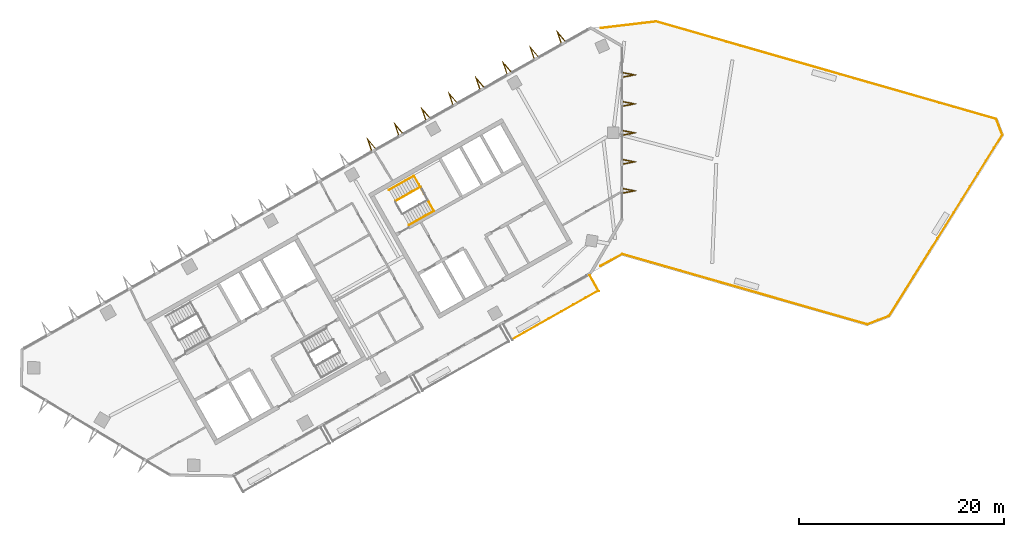
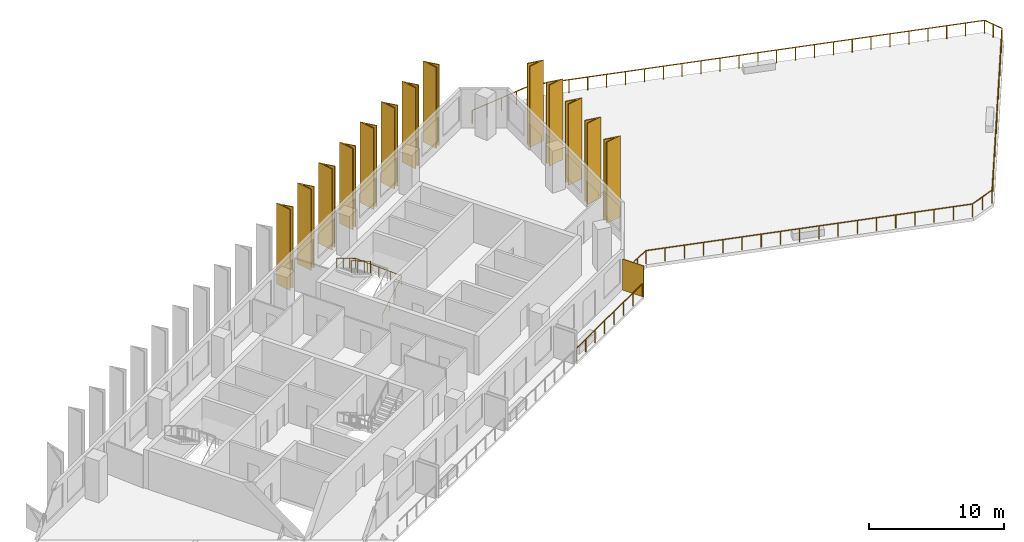
# One storey, part 7 of 8: 14 shading devices, 10 railings.
"""IFC4 building model written with IfcOpenShell, lengths in metres."""

from ifc_helpers import new_model, si_unit, direction, frame, origin, origin_2d, place, context, subcontext, project, spatial, polyline, rectangle, circle, outline, extrude, material, layer, layer_set, type_object, element, save


model = new_model("IFC4")

# Units and contexts
model_context = context("Model", 3, precision=1e-05, world=origin(), true_north=direction((0.0, 1.0)))
body_context = subcontext(model_context, "Body", "Model", "MODEL_VIEW")
ifc_project = project(units=[si_unit("LENGTHUNIT", "METRE"), si_unit("AREAUNIT", "SQUARE_METRE"), si_unit("VOLUMEUNIT", "CUBIC_METRE"), si_unit("PLANEANGLEUNIT", "RADIAN"), si_unit("MASSUNIT", "GRAM", prefix="KILO")], contexts=[model_context])

# Site, building, storey
site_placement = place(None, origin())
site = spatial("IfcSite", under=ifc_project, at=site_placement, CompositionType="ELEMENT")
building_placement = place(site_placement, origin())
building = spatial("IfcBuilding", under=site, at=building_placement, Name="Binnacle Exchange Tower", CompositionType="ELEMENT")
storey_placement = place(building_placement, frame((0.0, 0.0, 262.699951171875)))
storey = spatial("IfcBuildingStorey", under=building, at=storey_placement, Name="L58", CompositionType="ELEMENT", Elevation=262.699951171875)

# Railings
ifc_material_1 = material(Name="Bronze anodised aluminium frame", Category="aluminium")
railing_type_1 = type_object("IfcRailingType", Name="GUARD 1200", PredefinedType="GUARDRAIL", material=ifc_material_1)
railing_1_placement = place(storey_placement, frame((-10.7177734375, 39.81640625, 0.0)))
element("IfcRailing", 1, at=railing_1_placement, inside=storey, type_object=railing_type_1, Name="Balcony guard H07-B03 L58", PredefinedType="GUARDRAIL", context=body_context, shape_type="SweptSolid", body=[
    extrude(circle(Radius=0.02392578125, at=origin_2d()), frame((0.0, 0.0, 1.17578125), z_axis=(0.870353035673, 0.492428262079, 0.0), x_axis=(-0.492428262079, 0.870353035673, 0.0)), (0.0, 0.0, 1.0), 9.64794921875),
    extrude(circle(Radius=0.02099609375, at=origin_2d()), origin(), (0.0, 0.0, 1.0), 1.15185546875),
    extrude(circle(Radius=0.02099609375, at=origin_2d()), frame((1.19970703125, 0.6787109375, 0.0)), (0.0, 0.0, 1.0), 1.15185546875),
    extrude(circle(Radius=0.02099609375, at=origin_2d()), frame((2.399169921875, 1.357421875, 0.0)), (0.0, 0.0, 1.0), 1.15185546875),
    extrude(circle(Radius=0.02099609375, at=origin_2d()), frame((3.598876953125, 2.0361328125, 0.0)), (0.0, 0.0, 1.0), 1.15185546875),
    extrude(circle(Radius=0.02099609375, at=origin_2d()), frame((4.79833984375, 2.71484375, 0.0)), (0.0, 0.0, 1.0), 1.15185546875),
    extrude(circle(Radius=0.02099609375, at=origin_2d()), frame((5.998046875, 3.3935546875, 0.0)), (0.0, 0.0, 1.0), 1.15185546875),
    extrude(circle(Radius=0.02099609375, at=origin_2d()), frame((7.197509765625, 4.072265625, 0.0)), (0.0, 0.0, 1.0), 1.15185546875),
    extrude(circle(Radius=0.02099609375, at=origin_2d()), frame((8.397216796875, 4.7509765625, 0.0)), (0.0, 0.0, 1.0), 1.15185546875),
])
railing_2_placement = place(storey_placement, frame((-2.08349609375, 46.993408203125, 0.0)))
element("IfcRailing", 2, at=railing_2_placement, inside=storey, type_object=railing_type_1, Name="Terrace guard 1 Terrace T2", PredefinedType="GUARDRAIL", context=body_context, shape_type="SweptSolid", body=[
    extrude(circle(Radius=0.02392578125, at=origin_2d()), frame((0.0, 0.0, 1.17578125), z_axis=(0.879297255501, 0.47627338417, 0.0), x_axis=(-0.47627338417, 0.879297255501, 0.0)), (0.0, 0.0, 1.0), 2.41650390625),
    extrude(circle(Radius=0.02099609375, at=origin_2d()), origin(), (0.0, 0.0, 1.0), 1.15185546875),
    extrude(circle(Radius=0.02099609375, at=origin_2d()), frame((1.0625, 0.575439453125, 0.0)), (0.0, 0.0, 1.0), 1.15185546875),
    extrude(circle(Radius=0.02099609375, at=origin_2d()), frame((2.124755859375, 1.15087890625, 0.0)), (0.0, 0.0, 1.0), 1.15185546875),
])
railing_3_placement = place(storey_placement, frame((0.041259765625, 48.144287109375, 0.0)))
element("IfcRailing", 3, at=railing_3_placement, inside=storey, type_object=railing_type_1, Name="Terrace guard 2 Terrace T2", PredefinedType="GUARDRAIL", context=body_context, shape_type="SweptSolid", body=[
    extrude(circle(Radius=0.02392578125, at=origin_2d()), frame((0.0, 0.0, 1.17578125), z_axis=(0.96126130038, -0.275638735287, 0.0), x_axis=(0.275638735287, 0.96126130038, 0.0)), (0.0, 0.0, 1.0), 24.9111328125),
    extrude(circle(Radius=0.02099609375, at=origin_2d()), origin(), (0.0, 0.0, 1.0), 1.15185546875),
    extrude(circle(Radius=0.02099609375, at=origin_2d()), frame((1.40869140625, -0.40380859375, 0.0)), (0.0, 0.0, 1.0), 1.15185546875),
    extrude(circle(Radius=0.02099609375, at=origin_2d()), frame((2.817138671875, -0.807861328125, 0.0)), (0.0, 0.0, 1.0), 1.15185546875),
    extrude(circle(Radius=0.02099609375, at=origin_2d()), frame((4.225830078125, -1.211669921875, 0.0)), (0.0, 0.0, 1.0), 1.15185546875),
    extrude(circle(Radius=0.02099609375, at=origin_2d()), frame((5.63427734375, -1.61572265625, 0.0)), (0.0, 0.0, 1.0), 1.15185546875),
    extrude(circle(Radius=0.02099609375, at=origin_2d()), frame((7.04296875, -2.01953125, 0.0)), (0.0, 0.0, 1.0), 1.15185546875),
    extrude(circle(Radius=0.02099609375, at=origin_2d()), frame((8.45166015625, -2.42333984375, 0.0)), (0.0, 0.0, 1.0), 1.15185546875),
    extrude(circle(Radius=0.02099609375, at=origin_2d()), frame((9.860107421875, -2.827392578125, 0.0)), (0.0, 0.0, 1.0), 1.15185546875),
    extrude(circle(Radius=0.02099609375, at=origin_2d()), frame((11.268798828125, -3.231201171875, 0.0)), (0.0, 0.0, 1.0), 1.15185546875),
    extrude(circle(Radius=0.02099609375, at=origin_2d()), frame((12.67724609375, -3.63525390625, 0.0)), (0.0, 0.0, 1.0), 1.15185546875),
    extrude(circle(Radius=0.02099609375, at=origin_2d()), frame((14.0859375, -4.0390625, 0.0)), (0.0, 0.0, 1.0), 1.15185546875),
    extrude(circle(Radius=0.02099609375, at=origin_2d()), frame((15.494384765625, -4.443115234375, 0.0)), (0.0, 0.0, 1.0), 1.15185546875),
    extrude(circle(Radius=0.02099609375, at=origin_2d()), frame((16.903076171875, -4.846923828125, 0.0)), (0.0, 0.0, 1.0), 1.15185546875),
    extrude(circle(Radius=0.02099609375, at=origin_2d()), frame((18.311767578125, -5.250732421875, 0.0)), (0.0, 0.0, 1.0), 1.15185546875),
    extrude(circle(Radius=0.02099609375, at=origin_2d()), frame((19.72021484375, -5.65478515625, 0.0)), (0.0, 0.0, 1.0), 1.15185546875),
    extrude(circle(Radius=0.02099609375, at=origin_2d()), frame((21.12890625, -6.05859375, 0.0)), (0.0, 0.0, 1.0), 1.15185546875),
    extrude(circle(Radius=0.02099609375, at=origin_2d()), frame((22.537353515625, -6.462646484375, 0.0)), (0.0, 0.0, 1.0), 1.15185546875),
    extrude(circle(Radius=0.02099609375, at=origin_2d()), frame((23.946044921875, -6.866455078125, 0.0)), (0.0, 0.0, 1.0), 1.15185546875),
])
railing_4_placement = place(storey_placement, frame((23.9873046875, 41.27783203125, 0.0)))
element("IfcRailing", 4, at=railing_4_placement, inside=storey, type_object=railing_type_1, Name="Terrace guard 3 Terrace T2", PredefinedType="GUARDRAIL", context=body_context, shape_type="SweptSolid", body=[
    extrude(circle(Radius=0.02392578125, at=origin_2d()), frame((0.0, 0.0, 1.17578125), z_axis=(0.933564716153, 0.358408873711, 0.0), x_axis=(-0.358408873711, 0.933564716153, 0.0)), (0.0, 0.0, 1.0), 2.295654296875),
    extrude(circle(Radius=0.02099609375, at=origin_2d()), origin(), (0.0, 0.0, 1.0), 1.15185546875),
    extrude(circle(Radius=0.02099609375, at=origin_2d()), frame((1.071533203125, 0.411376953125, 0.0)), (0.0, 0.0, 1.0), 1.15185546875),
    extrude(circle(Radius=0.02099609375, at=origin_2d()), frame((2.14306640625, 0.82275390625, 0.0)), (0.0, 0.0, 1.0), 1.15185546875),
])
railing_5_placement = place(storey_placement, frame((26.13037109375, 42.1005859375, 0.0)))
element("IfcRailing", 5, at=railing_5_placement, inside=storey, type_object=railing_type_1, Name="Terrace guard 4 Terrace T2", PredefinedType="GUARDRAIL", context=body_context, shape_type="SweptSolid", body=[
    extrude(circle(Radius=0.02392578125, at=origin_2d()), frame((0.0, 0.0, 1.17578125), z_axis=(0.529920092093, 0.848047578852, 0.0), x_axis=(-0.848047578852, 0.529920092093, 0.0)), (0.0, 0.0, 1.0), 20.874755859375),
    extrude(circle(Radius=0.02099609375, at=origin_2d()), origin(), (0.0, 0.0, 1.0), 1.15185546875),
    extrude(circle(Radius=0.02099609375, at=origin_2d()), frame((0.7900390625, 1.264404296875, 0.0)), (0.0, 0.0, 1.0), 1.15185546875),
    extrude(circle(Radius=0.02099609375, at=origin_2d()), frame((1.580322265625, 2.529052734375, 0.0)), (0.0, 0.0, 1.0), 1.15185546875),
    extrude(circle(Radius=0.02099609375, at=origin_2d()), frame((2.370361328125, 3.79345703125, 0.0)), (0.0, 0.0, 1.0), 1.15185546875),
    extrude(circle(Radius=0.02099609375, at=origin_2d()), frame((3.16064453125, 5.057861328125, 0.0)), (0.0, 0.0, 1.0), 1.15185546875),
    extrude(circle(Radius=0.02099609375, at=origin_2d()), frame((3.95068359375, 6.322509765625, 0.0)), (0.0, 0.0, 1.0), 1.15185546875),
    extrude(circle(Radius=0.02099609375, at=origin_2d()), frame((4.740966796875, 7.5869140625, 0.0)), (0.0, 0.0, 1.0), 1.15185546875),
    extrude(circle(Radius=0.02099609375, at=origin_2d()), frame((5.531005859375, 8.8515625, 0.0)), (0.0, 0.0, 1.0), 1.15185546875),
    extrude(circle(Radius=0.02099609375, at=origin_2d()), frame((6.321044921875, 10.115966796875, 0.0)), (0.0, 0.0, 1.0), 1.15185546875),
    extrude(circle(Radius=0.02099609375, at=origin_2d()), frame((7.111328125, 11.38037109375, 0.0)), (0.0, 0.0, 1.0), 1.15185546875),
    extrude(circle(Radius=0.02099609375, at=origin_2d()), frame((7.9013671875, 12.64501953125, 0.0)), (0.0, 0.0, 1.0), 1.15185546875),
    extrude(circle(Radius=0.02099609375, at=origin_2d()), frame((8.691650390625, 13.909423828125, 0.0)), (0.0, 0.0, 1.0), 1.15185546875),
    extrude(circle(Radius=0.02099609375, at=origin_2d()), frame((9.481689453125, 15.173828125, 0.0)), (0.0, 0.0, 1.0), 1.15185546875),
    extrude(circle(Radius=0.02099609375, at=origin_2d()), frame((10.27197265625, 16.4384765625, 0.0)), (0.0, 0.0, 1.0), 1.15185546875),
    extrude(circle(Radius=0.02099609375, at=origin_2d()), frame((11.06201171875, 17.702880859375, 0.0)), (0.0, 0.0, 1.0), 1.15185546875),
])
railing_6_placement = place(storey_placement, frame((37.1923828125, 59.803466796875, 0.0)))
element("IfcRailing", 6, at=railing_6_placement, inside=storey, type_object=railing_type_1, Name="Terrace guard 5 Terrace T2", PredefinedType="GUARDRAIL", context=body_context, shape_type="SweptSolid", body=[
    extrude(circle(Radius=0.02392578125, at=origin_2d()), frame((0.0, 0.0, 1.17578125), z_axis=(-0.358287364991, 0.933611356019, 0.0), x_axis=(-0.933611356019, -0.358287364991, 0.0)), (0.0, 0.0, 1.0), 1.65576171875),
    extrude(circle(Radius=0.02099609375, at=origin_2d()), origin(), (0.0, 0.0, 1.0), 1.15185546875),
    extrude(circle(Radius=0.02099609375, at=origin_2d()), frame((-0.296630859375, 0.77294921875, 0.0)), (0.0, 0.0, 1.0), 1.15185546875),
    extrude(circle(Radius=0.02099609375, at=origin_2d()), frame((-0.59326171875, 1.5458984375, 0.0)), (0.0, 0.0, 1.0), 1.15185546875),
])
railing_7_placement = place(storey_placement, frame((36.59912109375, 61.349365234375, 0.0)))
element("IfcRailing", 7, at=railing_7_placement, inside=storey, type_object=railing_type_1, Name="Terrace guard 6 Terrace T2", PredefinedType="GUARDRAIL", context=body_context, shape_type="SweptSolid", body=[
    extrude(circle(Radius=0.02392578125, at=origin_2d()), frame((0.0, 0.0, 1.17578125), z_axis=(-0.961261670938, 0.275637443005, 0.0), x_axis=(-0.275637443005, -0.961261670938, 0.0)), (0.0, 0.0, 1.0), 34.5869140625),
    extrude(circle(Radius=0.02099609375, at=origin_2d()), origin(), (0.0, 0.0, 1.0), 1.15185546875),
    extrude(circle(Radius=0.02099609375, at=origin_2d()), frame((-1.38525390625, 0.397216796875, 0.0)), (0.0, 0.0, 1.0), 1.15185546875),
    extrude(circle(Radius=0.02099609375, at=origin_2d()), frame((-2.7705078125, 0.79443359375, 0.0)), (0.0, 0.0, 1.0), 1.15185546875),
    extrude(circle(Radius=0.02099609375, at=origin_2d()), frame((-4.15576171875, 1.191650390625, 0.0)), (0.0, 0.0, 1.0), 1.15185546875),
    extrude(circle(Radius=0.02099609375, at=origin_2d()), frame((-5.541259765625, 1.5888671875, 0.0)), (0.0, 0.0, 1.0), 1.15185546875),
    extrude(circle(Radius=0.02099609375, at=origin_2d()), frame((-6.926513671875, 1.986083984375, 0.0)), (0.0, 0.0, 1.0), 1.15185546875),
    extrude(circle(Radius=0.02099609375, at=origin_2d()), frame((-8.311767578125, 2.38330078125, 0.0)), (0.0, 0.0, 1.0), 1.15185546875),
    extrude(circle(Radius=0.02099609375, at=origin_2d()), frame((-9.697021484375, 2.780517578125, 0.0)), (0.0, 0.0, 1.0), 1.15185546875),
    extrude(circle(Radius=0.02099609375, at=origin_2d()), frame((-11.082275390625, 3.177734375, 0.0)), (0.0, 0.0, 1.0), 1.15185546875),
    extrude(circle(Radius=0.02099609375, at=origin_2d()), frame((-12.4677734375, 3.574951171875, 0.0)), (0.0, 0.0, 1.0), 1.15185546875),
    extrude(circle(Radius=0.02099609375, at=origin_2d()), frame((-13.85302734375, 3.97216796875, 0.0)), (0.0, 0.0, 1.0), 1.15185546875),
    extrude(circle(Radius=0.02099609375, at=origin_2d()), frame((-15.23828125, 4.369384765625, 0.0)), (0.0, 0.0, 1.0), 1.15185546875),
    extrude(circle(Radius=0.02099609375, at=origin_2d()), frame((-16.62353515625, 4.7666015625, 0.0)), (0.0, 0.0, 1.0), 1.15185546875),
    extrude(circle(Radius=0.02099609375, at=origin_2d()), frame((-18.0087890625, 5.1640625, 0.0)), (0.0, 0.0, 1.0), 1.15185546875),
    extrude(circle(Radius=0.02099609375, at=origin_2d()), frame((-19.39404296875, 5.561279296875, 0.0)), (0.0, 0.0, 1.0), 1.15185546875),
    extrude(circle(Radius=0.02099609375, at=origin_2d()), frame((-20.779296875, 5.95849609375, 0.0)), (0.0, 0.0, 1.0), 1.15185546875),
    extrude(circle(Radius=0.02099609375, at=origin_2d()), frame((-22.164794921875, 6.355712890625, 0.0)), (0.0, 0.0, 1.0), 1.15185546875),
    extrude(circle(Radius=0.02099609375, at=origin_2d()), frame((-23.550048828125, 6.7529296875, 0.0)), (0.0, 0.0, 1.0), 1.15185546875),
    extrude(circle(Radius=0.02099609375, at=origin_2d()), frame((-24.935302734375, 7.150146484375, 0.0)), (0.0, 0.0, 1.0), 1.15185546875),
    extrude(circle(Radius=0.02099609375, at=origin_2d()), frame((-26.320556640625, 7.54736328125, 0.0)), (0.0, 0.0, 1.0), 1.15185546875),
    extrude(circle(Radius=0.02099609375, at=origin_2d()), frame((-27.705810546875, 7.944580078125, 0.0)), (0.0, 0.0, 1.0), 1.15185546875),
    extrude(circle(Radius=0.02099609375, at=origin_2d()), frame((-29.09130859375, 8.341796875, 0.0)), (0.0, 0.0, 1.0), 1.15185546875),
    extrude(circle(Radius=0.02099609375, at=origin_2d()), frame((-30.4765625, 8.739013671875, 0.0)), (0.0, 0.0, 1.0), 1.15185546875),
    extrude(circle(Radius=0.02099609375, at=origin_2d()), frame((-31.86181640625, 9.13623046875, 0.0)), (0.0, 0.0, 1.0), 1.15185546875),
    extrude(circle(Radius=0.02099609375, at=origin_2d()), frame((-33.2470703125, 9.533447265625, 0.0)), (0.0, 0.0, 1.0), 1.15185546875),
])
railing_8_placement = place(storey_placement, frame((3.35205078125, 70.8828125, 0.0)))
element("IfcRailing", 8, at=railing_8_placement, inside=storey, type_object=railing_type_1, Name="Terrace guard 7 Terrace T2", PredefinedType="GUARDRAIL", context=body_context, shape_type="SweptSolid", body=[
    extrude(circle(Radius=0.02392578125, at=origin_2d()), frame((0.0, 0.0, 1.17578125), z_axis=(-0.993064992861, -0.117566661745, 0.0), x_axis=(0.117566661745, -0.993064992861, 0.0)), (0.0, 0.0, 1.0), 5.42822265625),
    extrude(circle(Radius=0.02099609375, at=origin_2d()), origin(), (0.0, 0.0, 1.0), 1.15185546875),
    extrude(circle(Radius=0.02099609375, at=origin_2d()), frame((-1.34765625, -0.15966796875, 0.0)), (0.0, 0.0, 1.0), 1.15185546875),
    extrude(circle(Radius=0.02099609375, at=origin_2d()), frame((-2.6953125, -0.319091796875, 0.0)), (0.0, 0.0, 1.0), 1.15185546875),
    extrude(circle(Radius=0.02099609375, at=origin_2d()), frame((-4.04296875, -0.478515625, 0.0)), (0.0, 0.0, 1.0), 1.15185546875),
    extrude(circle(Radius=0.02099609375, at=origin_2d()), frame((-5.390625, -0.63818359375, 0.0)), (0.0, 0.0, 1.0), 1.15185546875),
])

# Shading device
ifc_material_2 = material(Name="Bronze aluminium louvre", Category="aluminium")
ifc_layer = layer(ifc_material_2, 0.06005859375)
ifc_layer_set = layer_set([ifc_layer], Name="PLANTED SCREEN 60x2800")
shading_device_type_1 = type_object("IfcShadingDeviceType", Name="PLANTED SCREEN 60x2800", PredefinedType="USERDEFINED", material=ifc_layer_set)
shading_device_1_placement = place(storey_placement, frame((-2.697998046875, 45.2958984375, 0.0), z_axis=(0.0, 0.0, 1.0), x_axis=(0.87035569594, 0.492423560103, 0.0)))
element("IfcShadingDevice", 9, at=shading_device_1_placement, inside=storey, type_object=shading_device_type_1, Name="Planted screen H07-B03b L58", ObjectType="SCREEN", PredefinedType="USERDEFINED", context=body_context, shape_type="SweptSolid", body=[
    extrude(rectangle(XDim=0.06005859375, YDim=1.800048828125, at=origin_2d()), origin(), (0.0, 0.0, 1.0), 2.800048828125),
])

# Railings
ifc_material_3 = material(Name="Steel guard rail", Category="steel")
railing_type_2 = type_object("IfcRailingType", Name="STAIR GUARD 1100", PredefinedType="GUARDRAIL", material=ifc_material_3)
railing_9_placement = place(storey_placement, frame((-19.70068359375, 54.71337890625, 2.07275390625)))
element("IfcRailing", 10, at=railing_9_placement, inside=storey, type_object=railing_type_2, Name="L58 STC1 stair guard 2", PredefinedType="GUARDRAIL", context=body_context, shape_type="SweptSolid", body=[
    extrude(circle(Radius=0.02392578125, at=origin_2d()), frame((0.0, 0.0, 1.076171875), z_axis=(-0.740760999345, -0.419062048017, 0.525033467278), x_axis=(0.492387636113, -0.870376019777, 0.0)), (0.0, 0.0, 1.0), 3.289794921875),
    extrude(circle(Radius=0.02099609375, at=origin_2d()), origin(), (0.0, 0.0, 1.0), 1.052001953125),
    extrude(circle(Radius=0.02099609375, at=origin_2d()), frame((-0.812255859375, -0.45947265625, 0.57568359375)), (0.0, 0.0, 1.0), 1.052001953125),
    extrude(circle(Radius=0.02099609375, at=origin_2d()), frame((-1.624755859375, -0.919189453125, 1.151611328125)), (0.0, 0.0, 1.0), 1.052001953125),
    extrude(circle(Radius=0.02099609375, at=origin_2d()), frame((-2.43701171875, -1.378662109375, 1.727294921875)), (0.0, 0.0, 1.0), 1.052001953125),
])
ifc_material_4 = material(Name="Steel handrail", Category="steel")
railing_type_3 = type_object("IfcRailingType", Name="STAIR HANDRAIL 900", PredefinedType="HANDRAIL", material=ifc_material_4)
railing_10_placement = place(storey_placement, frame((-20.808349609375, 50.984619140625, 0.1728515625)))
element("IfcRailing", 11, at=railing_10_placement, inside=storey, type_object=railing_type_3, Name="L58 STC1 stair handrail 1", PredefinedType="HANDRAIL", context=body_context, shape_type="SweptSolid", body=[
    extrude(circle(Radius=0.02392578125, at=origin_2d()), frame((0.0, 0.0, 0.8759765625), z_axis=(0.740737961854, 0.419123222656, 0.525017138862), x_axis=(-0.492453686477, 0.870338650569, 0.0)), (0.0, 0.0, 1.0), 3.2900390625),
    extrude(circle(Radius=0.02392578125, at=origin_2d()), frame((2.43701171875, 1.37890625, 2.60302734375), z_axis=(-0.49197058795, 0.869516486623, 0.043657989918), x_axis=(-0.87034633103, -0.492440112159, 0.0)), (0.0, 0.0, 1.0), 3.95361328125),
    extrude(circle(Radius=0.02392578125, at=origin_2d()), frame((0.491943359375, 4.816650390625, 2.77587890625), z_axis=(-0.740760999345, -0.419062048017, 0.525033467278), x_axis=(0.492387636113, -0.870376019777, 0.0)), (0.0, 0.0, 1.0), 3.289794921875),
    extrude(circle(Radius=0.02099609375, at=origin_2d()), origin(), (0.0, 0.0, 1.0), 0.851806640625),
    extrude(circle(Radius=0.02099609375, at=origin_2d()), frame((0.812255859375, 0.459716796875, 0.57568359375)), (0.0, 0.0, 1.0), 0.851806640625),
    extrude(circle(Radius=0.02099609375, at=origin_2d()), frame((1.624755859375, 0.919189453125, 1.151611328125)), (0.0, 0.0, 1.0), 0.851806640625),
    extrude(circle(Radius=0.02099609375, at=origin_2d()), frame((2.43701171875, 1.37890625, 1.727294921875)), (0.0, 0.0, 1.0), 0.851806640625),
    extrude(circle(Radius=0.02099609375, at=origin_2d()), frame((1.95068359375, 2.23828125, 1.7705078125)), (0.0, 0.0, 1.0), 0.851806640625),
    extrude(circle(Radius=0.02099609375, at=origin_2d()), frame((1.46435546875, 3.09765625, 1.8134765625)), (0.0, 0.0, 1.0), 0.851806640625),
    extrude(circle(Radius=0.02099609375, at=origin_2d()), frame((0.978271484375, 3.957275390625, 1.856689453125)), (0.0, 0.0, 1.0), 0.851806640625),
    extrude(circle(Radius=0.02099609375, at=origin_2d()), frame((0.491943359375, 4.816650390625, 1.89990234375)), (0.0, 0.0, 1.0), 0.851806640625),
    extrude(circle(Radius=0.02099609375, at=origin_2d()), frame((-0.3203125, 4.357177734375, 2.4755859375)), (0.0, 0.0, 1.0), 0.851806640625),
    extrude(circle(Radius=0.02099609375, at=origin_2d()), frame((-1.1328125, 3.8974609375, 3.051513671875)), (0.0, 0.0, 1.0), 0.851806640625),
    extrude(circle(Radius=0.02099609375, at=origin_2d()), frame((-1.945068359375, 3.43798828125, 3.627197265625)), (0.0, 0.0, 1.0), 0.851806640625),
])

# Shading devices
ifc_material_5 = material(Name="Bronze aluminium cladding", Category="aluminium")
shading_device_type_2 = type_object("IfcShadingDeviceType", Name="V FIN 1300 DEEP x 7320 HIGH", PredefinedType="USERDEFINED", material=ifc_material_5)
shading_device_2_placement = place(storey_placement, origin())
element("IfcShadingDevice", 12, at=shading_device_2_placement, inside=storey, type_object=shading_device_type_2, Name="V fin FN-H01-01 L58", ObjectType="FIN", PredefinedType="USERDEFINED", context=body_context, shape_type="SweptSolid", body=[
    extrude(outline(polyline([(0.125, 54.083251953125), (1.425048828125, 54.333251953125), (0.125, 54.583251953125), (0.125, 54.501708984375), (1.00146484375, 54.333251953125), (0.125, 54.164794921875), (0.125, 54.083251953125)])), origin(), (0.0, 0.0, 1.0), 7.320068359375),
])
shading_device_3_placement = place(storey_placement, origin())
element("IfcShadingDevice", 13, at=shading_device_3_placement, inside=storey, type_object=shading_device_type_2, Name="V fin FN-H01-02 L58", ObjectType="FIN", PredefinedType="USERDEFINED", context=body_context, shape_type="SweptSolid", body=[
    extrude(outline(polyline([(0.125, 56.916748046875), (1.425048828125, 57.166748046875), (0.125, 57.416748046875), (0.125, 57.335205078125), (1.00146484375, 57.166748046875), (0.125, 56.998291015625), (0.125, 56.916748046875)])), origin(), (0.0, 0.0, 1.0), 7.320068359375),
])
shading_device_4_placement = place(storey_placement, origin())
element("IfcShadingDevice", 14, at=shading_device_4_placement, inside=storey, type_object=shading_device_type_2, Name="V fin FN-H01-03 L58", ObjectType="FIN", PredefinedType="USERDEFINED", context=body_context, shape_type="SweptSolid", body=[
    extrude(outline(polyline([(0.125, 59.75), (1.425048828125, 60.0), (0.125, 60.25), (0.125, 60.16845703125), (1.00146484375, 60.0), (0.125, 59.83154296875), (0.125, 59.75)])), origin(), (0.0, 0.0, 1.0), 7.320068359375),
])
shading_device_5_placement = place(storey_placement, origin())
element("IfcShadingDevice", 15, at=shading_device_5_placement, inside=storey, type_object=shading_device_type_2, Name="V fin FN-H01-04 L58", ObjectType="FIN", PredefinedType="USERDEFINED", context=body_context, shape_type="SweptSolid", body=[
    extrude(outline(polyline([(0.125, 62.583251953125), (1.425048828125, 62.833251953125), (0.125, 63.083251953125), (0.125, 63.001708984375), (1.00146484375, 62.833251953125), (0.125, 62.664794921875), (0.125, 62.583251953125)])), origin(), (0.0, 0.0, 1.0), 7.320068359375),
])
shading_device_6_placement = place(storey_placement, origin())
element("IfcShadingDevice", 16, at=shading_device_6_placement, inside=storey, type_object=shading_device_type_2, Name="V fin FN-H01-05 L58", ObjectType="FIN", PredefinedType="USERDEFINED", context=body_context, shape_type="SweptSolid", body=[
    extrude(outline(polyline([(0.125, 65.416748046875), (1.425048828125, 65.666748046875), (0.125, 65.916748046875), (0.125, 65.835205078125), (1.00146484375, 65.666748046875), (0.125, 65.498291015625), (0.125, 65.416748046875)])), origin(), (0.0, 0.0, 1.0), 7.320068359375),
])
shading_device_7_placement = place(storey_placement, origin())
element("IfcShadingDevice", 17, at=shading_device_7_placement, inside=storey, type_object=shading_device_type_2, Name="V fin FN-H03-01 L58", ObjectType="FIN", PredefinedType="USERDEFINED", context=body_context, shape_type="SweptSolid", body=[
    extrude(outline(polyline([(-5.538818359375, 69.009765625), (-6.396728515625, 70.018310546875), (-5.97412109375, 68.763671875), (-5.9033203125, 68.8037109375), (-6.18798828125, 69.6494140625), (-5.60986328125, 68.9697265625), (-5.538818359375, 69.009765625)])), origin(), (0.0, 0.0, 1.0), 7.320068359375),
])
shading_device_8_placement = place(storey_placement, origin())
element("IfcShadingDevice", 18, at=shading_device_8_placement, inside=storey, type_object=shading_device_type_2, Name="V fin FN-H03-02 L58", ObjectType="FIN", PredefinedType="USERDEFINED", context=body_context, shape_type="SweptSolid", body=[
    extrude(outline(polyline([(-8.187744140625, 67.51123046875), (-9.04541015625, 68.51953125), (-8.622802734375, 67.264892578125), (-8.552001953125, 67.30517578125), (-8.8369140625, 68.15087890625), (-8.258544921875, 67.47119140625), (-8.187744140625, 67.51123046875)])), origin(), (0.0, 0.0, 1.0), 7.320068359375),
])
shading_device_9_placement = place(storey_placement, origin())
element("IfcShadingDevice", 19, at=shading_device_9_placement, inside=storey, type_object=shading_device_type_2, Name="V fin FN-H03-03 L58", ObjectType="FIN", PredefinedType="USERDEFINED", context=body_context, shape_type="SweptSolid", body=[
    extrude(outline(polyline([(-10.83642578125, 66.0126953125), (-11.694091796875, 67.02099609375), (-11.271484375, 65.766357421875), (-11.20068359375, 65.806396484375), (-11.485595703125, 66.65234375), (-10.9072265625, 65.972412109375), (-10.83642578125, 66.0126953125)])), origin(), (0.0, 0.0, 1.0), 7.320068359375),
])
shading_device_10_placement = place(storey_placement, origin())
element("IfcShadingDevice", 20, at=shading_device_10_placement, inside=storey, type_object=shading_device_type_2, Name="V fin FN-H03-04 L58", ObjectType="FIN", PredefinedType="USERDEFINED", context=body_context, shape_type="SweptSolid", body=[
    extrude(outline(polyline([(-13.485107421875, 64.51416015625), (-14.343017578125, 65.5224609375), (-13.92041015625, 64.267822265625), (-13.849365234375, 64.30810546875), (-14.13427734375, 65.15380859375), (-13.555908203125, 64.47412109375), (-13.485107421875, 64.51416015625)])), origin(), (0.0, 0.0, 1.0), 7.320068359375),
])
shading_device_11_placement = place(storey_placement, origin())
element("IfcShadingDevice", 21, at=shading_device_11_placement, inside=storey, type_object=shading_device_type_2, Name="V fin FN-H03-05 L58", ObjectType="FIN", PredefinedType="USERDEFINED", context=body_context, shape_type="SweptSolid", body=[
    extrude(outline(polyline([(-16.1337890625, 63.015380859375), (-16.99169921875, 64.02392578125), (-16.569091796875, 62.769287109375), (-16.498046875, 62.809326171875), (-16.782958984375, 63.6552734375), (-16.20458984375, 62.975341796875), (-16.1337890625, 63.015380859375)])), origin(), (0.0, 0.0, 1.0), 7.320068359375),
])
shading_device_12_placement = place(storey_placement, origin())
element("IfcShadingDevice", 22, at=shading_device_12_placement, inside=storey, type_object=shading_device_type_2, Name="V fin FN-H03-06 L58", ObjectType="FIN", PredefinedType="USERDEFINED", context=body_context, shape_type="SweptSolid", body=[
    extrude(outline(polyline([(-18.78271484375, 61.516845703125), (-19.640380859375, 62.525390625), (-19.2177734375, 61.270751953125), (-19.14697265625, 61.310791015625), (-19.431640625, 62.156494140625), (-18.853515625, 61.476806640625), (-18.78271484375, 61.516845703125)])), origin(), (0.0, 0.0, 1.0), 7.320068359375),
])
shading_device_13_placement = place(storey_placement, origin())
element("IfcShadingDevice", 23, at=shading_device_13_placement, inside=storey, type_object=shading_device_type_2, Name="V fin FN-H03-07 L58", ObjectType="FIN", PredefinedType="USERDEFINED", context=body_context, shape_type="SweptSolid", body=[
    extrude(outline(polyline([(-21.431396484375, 60.018310546875), (-22.2890625, 61.026611328125), (-21.866455078125, 59.772216796875), (-21.795654296875, 59.812255859375), (-22.080322265625, 60.657958984375), (-21.502197265625, 59.978271484375), (-21.431396484375, 60.018310546875)])), origin(), (0.0, 0.0, 1.0), 7.320068359375),
])
shading_device_14_placement = place(storey_placement, origin())
element("IfcShadingDevice", 24, at=shading_device_14_placement, inside=storey, type_object=shading_device_type_2, Name="V fin FN-H03-08 L58", ObjectType="FIN", PredefinedType="USERDEFINED", context=body_context, shape_type="SweptSolid", body=[
    extrude(outline(polyline([(-24.080078125, 58.519775390625), (-24.93798828125, 59.528076171875), (-24.515380859375, 58.2734375), (-24.4443359375, 58.313720703125), (-24.729248046875, 59.159423828125), (-24.15087890625, 58.4794921875), (-24.080078125, 58.519775390625)])), origin(), (0.0, 0.0, 1.0), 7.320068359375),
])

save(model, "model.ifc")
